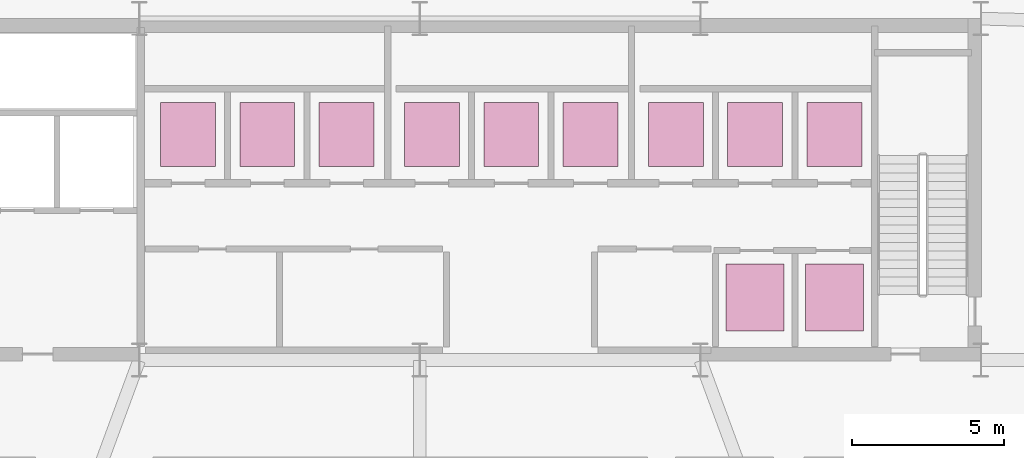
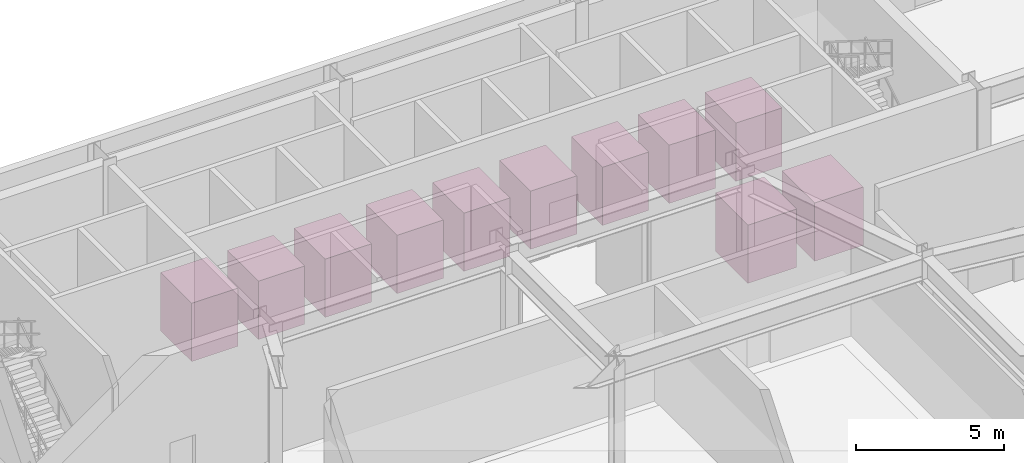
# One storey, part 17 of 17: 11 transport elements.
"""IFC4 building model written with IfcOpenShell, lengths in metres."""

from ifc_helpers import new_model, si_unit, direction, frame, origin, origin_2d, place, context, subcontext, project, spatial, rectangle, extrude, source, transform, mapped, material, type_object, type_shapes, element, save


model = new_model("IFC4")

# Units and contexts
model_context = context("Model", 3, precision=1e-05, world=origin(), true_north=direction((0.0, 1.0)))
body_context = subcontext(model_context, "Body", "Model", "MODEL_VIEW")
ifc_project = project(units=[si_unit("LENGTHUNIT", "METRE"), si_unit("AREAUNIT", "SQUARE_METRE"), si_unit("VOLUMEUNIT", "CUBIC_METRE"), si_unit("PLANEANGLEUNIT", "RADIAN"), si_unit("MASSUNIT", "GRAM", prefix="KILO")], contexts=[model_context])

# Site, building, storey
site_placement = place(None, origin())
site = spatial("IfcSite", under=ifc_project, at=site_placement, CompositionType="ELEMENT")
building_placement = place(site_placement, origin())
building = spatial("IfcBuilding", under=site, at=building_placement, Name="Varnel Quay Broadcast Tower", CompositionType="ELEMENT")
storey_placement = place(building_placement, origin())
storey = spatial("IfcBuildingStorey", under=building, at=storey_placement, Name="L00", CompositionType="ELEMENT", Elevation=0.0)

# Transport elements
ifc_material = material(Name="Brushed Bronze-Stainless Lift Car & Sliding Doors")
transport_element_type_1 = type_object("IfcTransportElementType", Name="Lift_Passenger1800", PredefinedType="ELEVATOR", material=ifc_material)
shared_shape_1 = source(origin(), body_context, "Body", "SweptSolid", [
    extrude(rectangle(XDim=1.800048828125, YDim=2.10009765625, at=origin_2d()), origin(), (0.0, 0.0, 1.0), 2.39990234375),
])
type_shapes(transport_element_type_1, [shared_shape_1])
for number, where, z_axis, x_axis, name in (
    (1, (26.39990234375, 43.0, 0.0), (0.0, 0.0, 1.0), (1.0, 0.0, 0.0), "Elevator PL-01"),
    (2, (29.0, 43.0, 0.0), (0.0, 0.0, 1.0), (1.0, 0.0, 0.0), "Elevator PL-02"),
    (3, (31.60009765625, 43.0, 0.0), (0.0, 0.0, 1.0), (1.0, 0.0, 0.0), "Elevator PL-03"),
    (4, (34.39990234375, 43.0, 0.0), (0.0, 0.0, 1.0), (1.0, 0.0, 0.0), "Elevator PM-01"),
    (5, (37.0, 43.0, 0.0), (0.0, 0.0, 1.0), (1.0, 0.0, 0.0), "Elevator PM-02"),
    (6, (39.60009765625, 43.0, 0.0), (0.0, 0.0, 1.0), (1.0, 0.0, 0.0), "Elevator PM-03"),
    (7, (42.39990234375, 43.0, 0.0), (0.0, 0.0, 1.0), (1.0, 0.0, 0.0), "Elevator PH-01"),
    (8, (45.0, 43.0, 0.0), (0.0, 0.0, 1.0), (1.0, 0.0, 0.0), "Elevator PH-02"),
    (9, (47.60009765625, 43.0, 0.0), (0.0, 0.0, 1.0), (1.0, 0.0, 0.0), "Elevator PH-03"),
):
    element("IfcTransportElement", number, at=place(storey_placement, frame(where, z_axis=z_axis, x_axis=x_axis)), inside=storey, type_object=transport_element_type_1, Name=name, PredefinedType="ELEVATOR", context=body_context, shape_type="MappedRepresentation", body=[
        mapped(shared_shape_1, transform((0.0, 0.0, 0.0), x_axis=(1.0, 0.0, 0.0), y_axis=(0.0, 1.0, 0.0), z_axis=(0.0, 0.0, 1.0), scale=1.0)),
    ])
transport_element_type_2 = type_object("IfcTransportElementType", Name="Lift_ExpressObs2000", PredefinedType="ELEVATOR", material=ifc_material)
shared_shape_2 = source(origin(), body_context, "Body", "SweptSolid", [
    extrude(rectangle(XDim=1.89990234375, YDim=2.199951171875, at=origin_2d()), origin(), (0.0, 0.0, 1.0), 2.39990234375),
])
type_shapes(transport_element_type_2, [shared_shape_2])
for number, where, z_axis, x_axis, name in (
    (10, (45.0, 37.64990234375, 0.0), (0.0, 0.0, 1.0), (1.0, 0.0, 0.0), "Elevator PO-01"),
    (11, (47.60009765625, 37.64990234375, 0.0), (0.0, 0.0, 1.0), (1.0, 0.0, 0.0), "Elevator PO-02"),
):
    element("IfcTransportElement", number, at=place(storey_placement, frame(where, z_axis=z_axis, x_axis=x_axis)), inside=storey, type_object=transport_element_type_2, Name=name, PredefinedType="ELEVATOR", context=body_context, shape_type="MappedRepresentation", body=[
        mapped(shared_shape_2, transform((0.0, 0.0, 0.0), x_axis=(1.0, 0.0, 0.0), y_axis=(0.0, 1.0, 0.0), z_axis=(0.0, 0.0, 1.0), scale=1.0)),
    ])

save(model, "model.ifc")
